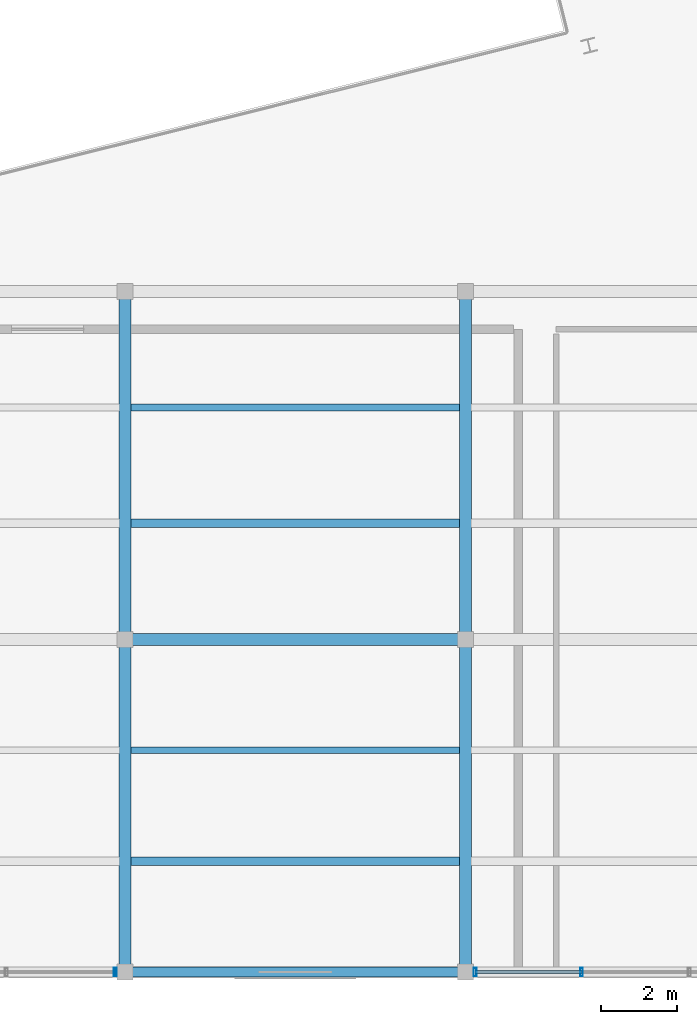
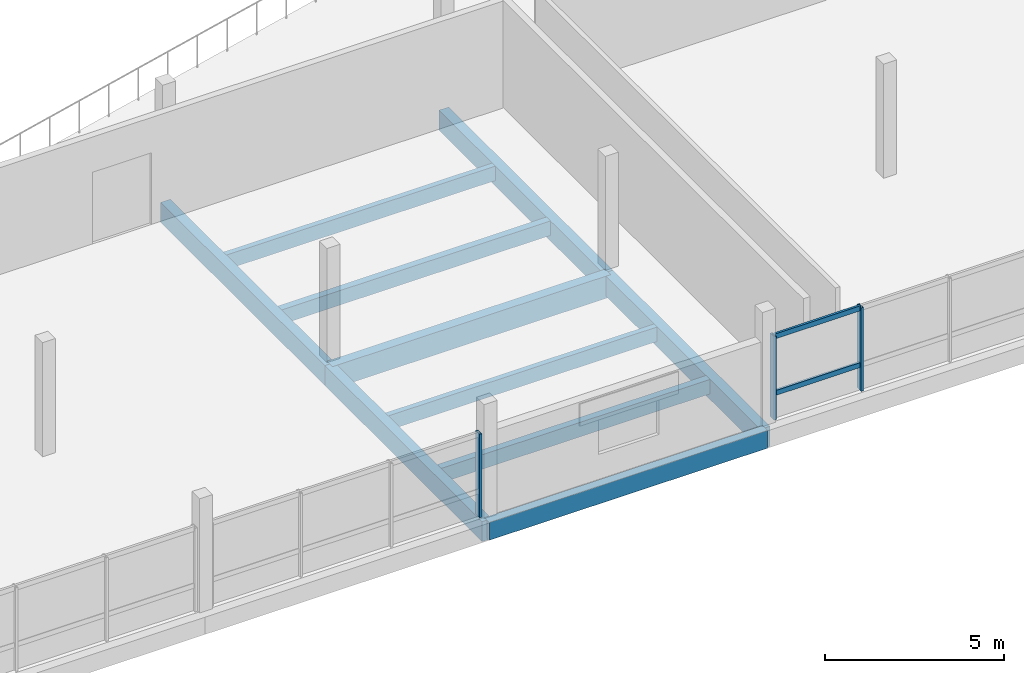
# One storey, part 8 of 47: 10 beams, 5 members, 2 elements without a shape of their own.
"""IFC4 building model written with IfcOpenShell, lengths in metres."""

import ifcopenshell
import ifcopenshell.guid

model = None  # the IFC model being written
_history = None  # IfcOwnerHistory: only IFC2X3 demands one
_inside = {}  # id of a spatial element -> (the spatial element, [elements in it])
_under = {}  # id of a project, library or spatial element -> (it, [spatial elements below it])
_declared = {}  # id of a project -> (the project, [libraries it declares])
_typed = {}  # id of a type object -> (the type object, [elements of that type])
_made_of = {}  # id of a material, layer set ... -> (it, [elements and type objects made of it])


def new_model(schema):
    """Start an empty IFC model of exactly this schema.

    Asked for "IFC4X3", IfcOpenShell would pick the latest addendum, in which some entities
    have other attributes; the version numbers below select the first issue.
    IFC2X3 requires an IfcOwnerHistory on every rooted entity: one is made here for all.
    """
    global model, _history
    if schema == "IFC4X3":
        model = ifcopenshell.file(schema_version=(4, 3, 0, 0))
    else:
        model = ifcopenshell.file(schema=schema)
    _inside.clear()
    _under.clear()
    _declared.clear()
    _typed.clear()
    _made_of.clear()
    _history = None
    if model.schema == "IFC2X3":
        org = make("IfcOrganization", Name="unknown")
        user = make(
            "IfcPersonAndOrganization",
            ThePerson=make("IfcPerson", FamilyName="unknown"),
            TheOrganization=org,
        )
        app = make(
            "IfcApplication",
            ApplicationDeveloper=org,
            Version="unknown",
            ApplicationFullName="unknown",
            ApplicationIdentifier="unknown",
        )
        _history = make(
            "IfcOwnerHistory",
            OwningUser=user,
            OwningApplication=app,
            ChangeAction="ADDED",
            CreationDate=0,
        )
    return model


def make(cls, **values):
    """One entity of the class cls with the attributes given. An attribute that is None is left unset."""
    return model.create_entity(
        cls, **{name: value for name, value in values.items() if value is not None}
    )


def rooted(cls, **values):
    """An entity with a GlobalId (a new one), such as an element, a storey or a relation."""
    return make(cls, GlobalId=ifcopenshell.guid.new(), OwnerHistory=_history, **values)


def si_unit(unit_type, name, prefix=None):
    """IfcSIUnit, for example si_unit("LENGTHUNIT", "METRE", prefix="MILLI")."""
    return make("IfcSIUnit", UnitType=unit_type, Prefix=prefix, Name=name)


def assignment(units):
    """IfcUnitAssignment: the units of a project."""
    return None if units is None else make("IfcUnitAssignment", Units=units)


def point(xyz):
    """IfcCartesianPoint."""
    return None if xyz is None else make("IfcCartesianPoint", Coordinates=xyz)


def direction(xyz):
    """IfcDirection."""
    return None if xyz is None else make("IfcDirection", DirectionRatios=xyz)


def frame(location, z_axis=None, x_axis=None):
    """IfcAxis2Placement3D, a coordinate frame: its origin and axes. An axis left out is left unset."""
    return make(
        "IfcAxis2Placement3D",
        Location=point(location),
        Axis=direction(z_axis),
        RefDirection=direction(x_axis),
    )


def frame_2d(location, x_axis=None):
    """IfcAxis2Placement2D, a coordinate frame in the plane: its origin and x axis."""
    return make(
        "IfcAxis2Placement2D", Location=point(location), RefDirection=direction(x_axis)
    )


def origin():
    """The frame at (0, 0, 0) with its axes left unset."""
    return frame((0.0, 0.0, 0.0))


def origin_2d():
    """The frame at (0, 0) in the plane with its x axis left unset."""
    return frame_2d((0.0, 0.0))


def place(relative_to, where):
    """IfcLocalPlacement: puts the frame where relative to a parent placement (None: the world)."""
    return make(
        "IfcLocalPlacement", PlacementRelTo=relative_to, RelativePlacement=where
    )


def context(
    kind, dimensions, precision=None, world=None, true_north=None, identifier=None
):
    """IfcGeometricRepresentationContext, for example the 3D "Model" context."""
    return make(
        "IfcGeometricRepresentationContext",
        ContextIdentifier=identifier,
        ContextType=kind,
        CoordinateSpaceDimension=dimensions,
        Precision=precision,
        WorldCoordinateSystem=world,
        TrueNorth=true_north,
    )


def subcontext(parent, identifier, kind, view, scale=None):
    """IfcGeometricRepresentationSubContext, for example "Body" below "Model"."""
    return make(
        "IfcGeometricRepresentationSubContext",
        ContextIdentifier=identifier,
        ContextType=kind,
        ParentContext=parent,
        TargetScale=scale,
        TargetView=view,
    )


def project(units=None, contexts=None):
    """IfcProject with its units and contexts."""
    return rooted(
        "IfcProject",
        Name="project",
        RepresentationContexts=contexts,
        UnitsInContext=assignment(units),
    )


def spatial(cls, under=None, at=None, **own):
    """A site, building, storey or space (cls), placed at a placement, below another one or the project."""
    s = rooted(cls, ObjectPlacement=at, **own)
    if under is not None:
        _under.setdefault(under.id(), (under, []))[1].append(s)
    return s


def profile(cls, at=None, kind="AREA", **sizes):
    """A parametric profile (cls). Its sizes go by their IFC names, for example OverallWidth=200.0."""
    return make(cls, ProfileType=kind, Position=at, **sizes)


def rectangle(**sizes):
    """IfcRectangleProfileDef."""
    return profile("IfcRectangleProfileDef", **sizes)


def hollow_rectangle(**sizes):
    """IfcRectangleHollowProfileDef."""
    return profile("IfcRectangleHollowProfileDef", **sizes)


def extrude(swept, where, along, depth):
    """IfcExtrudedAreaSolid: the profile swept, set in the frame where, extruded along a direction by depth."""
    return make(
        "IfcExtrudedAreaSolid",
        SweptArea=swept,
        Position=where,
        ExtrudedDirection=direction(along),
        Depth=depth,
    )


def shape(context_of_items, identifier, shape_type, items):
    """IfcShapeRepresentation: the items that make up one representation, for example the "Body"."""
    return make(
        "IfcShapeRepresentation",
        ContextOfItems=context_of_items,
        RepresentationIdentifier=identifier,
        RepresentationType=shape_type,
        Items=items,
    )


def material(Name=None, Category=None):
    """IfcMaterial."""
    return make("IfcMaterial", Name=Name, Category=Category)


def layer(
    of_material, thickness, ventilated=None, Name=None, Category=None, Priority=None
):
    """IfcMaterialLayer: one layer of a wall or slab, of a material (None: an air gap)."""
    return make(
        "IfcMaterialLayer",
        Material=of_material,
        LayerThickness=thickness,
        IsVentilated=ventilated,
        Name=Name,
        Category=Category,
        Priority=Priority,
    )


def layer_set(layers, Name=None):
    """IfcMaterialLayerSet."""
    return make("IfcMaterialLayerSet", MaterialLayers=layers, LayerSetName=Name)


def material_profile(
    of_material, cross_section, Name=None, Category=None, Priority=None
):
    """IfcMaterialProfile: a cross section and its material."""
    return make(
        "IfcMaterialProfile",
        Name=Name,
        Material=of_material,
        Profile=cross_section,
        Priority=Priority,
        Category=Category,
    )


def profile_set(profiles, Name=None, composite=None):
    """IfcMaterialProfileSet."""
    return make(
        "IfcMaterialProfileSet",
        Name=Name,
        MaterialProfiles=profiles,
        CompositeProfile=composite,
    )


def made_of(thing, what):
    """Note that an element or type object is made of a material, layer set ...; save() writes the relation."""
    if what is not None:
        _made_of.setdefault(what.id(), (what, []))[1].append(thing)
    return thing


def type_object(cls, material=None, **own):
    """A type object (cls), such as IfcWallType, which elements share."""
    return made_of(rooted(cls, **own), material)


def element(
    cls,
    number,
    at=None,
    inside=None,
    cuts=None,
    type_object=None,
    material=None,
    context=None,
    identifier="Body",
    shape_type=None,
    held_by="IfcProductDefinitionShape",
    body=None,
    shapes=None,
    **own,
):
    """One element of the class cls, such as IfcWall. Its Tag is "e" and its number.

    at: its placement. inside: the storey or other place that contains it. cuts: it is an
    opening in that element (IfcRelVoidsElement). A single representation is given by context,
    identifier, shape_type and body (its items); several are given by shapes. held_by: the class
    of the entity that holds the representations. save() writes the other relations.
    """
    e = rooted(cls, Tag="e%d" % number, ObjectPlacement=at, **own)
    if body is not None:
        shapes = [shape(context, identifier, shape_type, body)]
    if shapes is not None:
        e.Representation = make(held_by, Representations=shapes)
    if inside is not None:
        _inside.setdefault(inside.id(), (inside, []))[1].append(e)
    if cuts is not None:
        rooted(
            "IfcRelVoidsElement", RelatingBuildingElement=cuts, RelatedOpeningElement=e
        )
    if type_object is not None:
        _typed.setdefault(type_object.id(), (type_object, []))[1].append(e)
    return made_of(e, material)


def aggregate(whole, parts):
    """IfcRelAggregates: a whole, such as a stair, and the parts it consists of."""
    return rooted("IfcRelAggregates", RelatingObject=whole, RelatedObjects=parts)


def save(model, path):
    """Write the relations noted so far, then the file.

    IfcRelAggregates (storeys below a building ...), IfcRelContainedInSpatialStructure (elements
    in a storey), IfcRelDefinesByType, IfcRelAssociatesMaterial and IfcRelDeclares: one each for
    every whole, place, type object, material and project.
    """
    for whole, parts in _under.values():
        aggregate(whole, parts)
    for where, things in _inside.values():
        rooted(
            "IfcRelContainedInSpatialStructure",
            RelatedElements=things,
            RelatingStructure=where,
        )
    for kind, things in _typed.values():
        rooted("IfcRelDefinesByType", RelatedObjects=things, RelatingType=kind)
    for what, things in _made_of.values():
        rooted("IfcRelAssociatesMaterial", RelatedObjects=things, RelatingMaterial=what)
    for by, libraries in _declared.values():
        rooted("IfcRelDeclares", RelatingContext=by, RelatedDefinitions=libraries)
    model.write(path)


model = new_model("IFC4")

# Units and contexts
model_context = context("Model", 3, precision=1e-05, world=origin(), true_north=direction((0.0, 1.0)))
body_context = subcontext(model_context, "Body", "Model", "MODEL_VIEW")
ifc_project = project(units=[si_unit("LENGTHUNIT", "METRE"), si_unit("AREAUNIT", "SQUARE_METRE"), si_unit("VOLUMEUNIT", "CUBIC_METRE"), si_unit("PLANEANGLEUNIT", "RADIAN"), si_unit("MASSUNIT", "GRAM", prefix="KILO")], contexts=[model_context])

# Site, building, storey
site_placement = place(None, origin())
site = spatial("IfcSite", under=ifc_project, at=site_placement, CompositionType="ELEMENT")
building_placement = place(site_placement, origin())
building = spatial("IfcBuilding", under=site, at=building_placement, Name="Meriwether Solvik Hall", CompositionType="ELEMENT")
storey_placement = place(building_placement, frame((0.0, 0.0, 18.300048828125)))
storey = spatial("IfcBuildingStorey", under=building, at=storey_placement, Name="L04", CompositionType="ELEMENT", Elevation=18.300048828125)

# Beams
ifc_material_1 = material(Name="Glulam Douglas-Fir 24F-V8 GL28h", Category="wood")
ifc_material_profile_1 = material_profile(ifc_material_1, rectangle(XDim=0.27294921875, YDim=0.610107421875, at=origin_2d()), Name="GLB-273X610")
ifc_profile_set_1 = profile_set([ifc_material_profile_1], Name="Glulam Douglas-Fir 24F-V8 GL28h")
beam_type_1 = type_object("IfcBeamType", Name="BM-GL-273X610", PredefinedType="SPANDREL", material=ifc_profile_set_1)
beam_1_placement = place(storey_placement, frame((77.800048828125, 5.199951171875, -0.550048828125), z_axis=(1.0, 0.0, 0.0), x_axis=(0.0, 1.0, 0.0)))
element("IfcBeam", 1, at=beam_1_placement, inside=storey, type_object=beam_type_1, Name="Podium Girder A:9-10 (L04)", PredefinedType="SPANDREL", context=body_context, shape_type="SweptSolid", body=[
    extrude(rectangle(XDim=0.27294921875, YDim=0.610107421875, at=origin_2d()), origin(), (0.0, 0.0, 1.0), 9.0),
])
ifc_material_2 = material(Name="Glulam Douglas-Fir 24F-V8 GL28h", Category="wood")
ifc_material_profile_2 = material_profile(ifc_material_2, rectangle(XDim=0.31494140625, YDim=0.68505859375, at=origin_2d()), Name="GLB-315X685")
ifc_profile_set_2 = profile_set([ifc_material_profile_2], Name="Glulam Douglas-Fir 24F-V8 GL28h")
beam_type_2 = type_object("IfcBeamType", Name="BM-GL-315X685", PredefinedType="BEAM", material=ifc_profile_set_2)
beam_2_placement = place(storey_placement, frame((77.800048828125, 5.199951171875, -0.587646484375), z_axis=(0.0, 1.0, 0.0), x_axis=(-1.0, 0.0, 0.0)))
element("IfcBeam", 2, at=beam_2_placement, inside=storey, type_object=beam_type_2, Name="Podium Girder 9:A-B (L04)", PredefinedType="BEAM", context=body_context, shape_type="SweptSolid", body=[
    extrude(rectangle(XDim=0.31494140625, YDim=0.68505859375, at=origin_2d()), origin(), (0.0, 0.0, 1.0), 8.800048828125),
])
beam_3_placement = place(storey_placement, frame((77.800048828125, 14.0, -0.587646484375), z_axis=(0.0, 1.0, 0.0), x_axis=(-1.0, 0.0, 0.0)))
element("IfcBeam", 3, at=beam_3_placement, inside=storey, type_object=beam_type_2, Name="Podium Girder 9:B-C (L04)", PredefinedType="BEAM", context=body_context, shape_type="SweptSolid", body=[
    extrude(rectangle(XDim=0.31494140625, YDim=0.68505859375, at=origin_2d()), origin(), (0.0, 0.0, 1.0), 9.199951171875),
])
beam_4_placement = place(storey_placement, frame((86.800048828125, 5.199951171875, -0.587646484375), z_axis=(0.0, 1.0, 0.0), x_axis=(-1.0, 0.0, 0.0)))
element("IfcBeam", 4, at=beam_4_placement, inside=storey, type_object=beam_type_2, Name="Podium Girder 10:A-B (L04)", PredefinedType="BEAM", context=body_context, shape_type="SweptSolid", body=[
    extrude(rectangle(XDim=0.31494140625, YDim=0.68505859375, at=origin_2d()), origin(), (0.0, 0.0, 1.0), 8.800048828125),
])
beam_5_placement = place(storey_placement, frame((86.800048828125, 14.0, -0.587646484375), z_axis=(0.0, 1.0, 0.0), x_axis=(-1.0, 0.0, 0.0)))
element("IfcBeam", 5, at=beam_5_placement, inside=storey, type_object=beam_type_2, Name="Podium Girder 10:B-C (L04)", PredefinedType="BEAM", context=body_context, shape_type="SweptSolid", body=[
    extrude(rectangle(XDim=0.31494140625, YDim=0.68505859375, at=origin_2d()), origin(), (0.0, 0.0, 1.0), 9.199951171875),
])
ifc_material_3 = material(Name="Glulam Douglas-Fir 24F-V8 GL28h", Category="wood")
ifc_material_profile_3 = material_profile(ifc_material_3, rectangle(XDim=0.31494140625, YDim=0.760009765625, at=origin_2d()), Name="GLB-315X760")
ifc_profile_set_3 = profile_set([ifc_material_profile_3], Name="Glulam Douglas-Fir 24F-V8 GL28h")
beam_type_3 = type_object("IfcBeamType", Name="BM-GL-315X760", PredefinedType="BEAM", material=ifc_profile_set_3)
beam_6_placement = place(storey_placement, frame((77.800048828125, 14.0, -0.625), z_axis=(1.0, 0.0, 0.0), x_axis=(0.0, 1.0, 0.0)))
element("IfcBeam", 6, at=beam_6_placement, inside=storey, type_object=beam_type_3, Name="Podium Girder B:9-10 (L04)", PredefinedType="BEAM", context=body_context, shape_type="SweptSolid", body=[
    extrude(rectangle(XDim=0.31494140625, YDim=0.760009765625, at=origin_2d()), origin(), (0.0, 0.0, 1.0), 9.0),
])

# Curtain wall, member
ifc_material_4 = material(Name="Thermally Broken Anodised Aluminium 6063-T6 and Low-E Glass", Category="aluminium")
ifc_layer = layer(ifc_material_4, 0.179931640625)
ifc_layer_set = layer_set([ifc_layer], Name="Thermally Broken Anodised Aluminium 6063-T6 and Low-E Glass")
curtain_wall_type = type_object("IfcCurtainWallType", Name="CW-UNIT-E", PredefinedType="USERDEFINED", material=ifc_layer_set)
curtain_wall_1_placement = place(storey_placement, origin())
curtain_wall_1 = element("IfcCurtainWall", 7, at=curtain_wall_1_placement, inside=storey, type_object=curtain_wall_type, Name="Curtain Wall wing_XA_8_1 (L04)", ObjectType="UNITISED CURTAIN WALL", PredefinedType="USERDEFINED")
ifc_material_5 = material(Name="Anodised Aluminium 6063-T6", Category="aluminium")
ifc_material_profile_4 = material_profile(ifc_material_5, hollow_rectangle(XDim=0.074951171875, YDim=0.219970703125, WallThickness=0.005615234375, at=origin_2d()), Name="CWM-75X220")
ifc_profile_set_4 = profile_set([ifc_material_profile_4], Name="Anodised Aluminium 6063-T6")
member_type_1 = type_object("IfcMemberType", Name="CW-MUL-75X220", PredefinedType="MULLION", material=ifc_profile_set_4)
member_1_placement = place(storey_placement, frame((77.5400390625, 5.199951171875, 0.0), z_axis=(0.0, 0.0, 1.0), x_axis=(-1.0, 0.0, 0.0)))
member_1 = element("IfcMember", 8, at=member_1_placement, type_object=member_type_1, Name="Curtain Wall Mullion 1", PredefinedType="MULLION", context=body_context, shape_type="SweptSolid", body=[
    extrude(hollow_rectangle(XDim=0.074951171875, YDim=0.219970703125, WallThickness=0.005615234375, at=origin_2d()), origin(), (0.0, 0.0, 1.0), 2.85498046875),
])
aggregate(curtain_wall_1, [member_1])

# Curtain wall, members
curtain_wall_2_placement = place(storey_placement, origin())
curtain_wall_2 = element("IfcCurtainWall", 9, at=curtain_wall_2_placement, inside=storey, type_object=curtain_wall_type, Name="Curtain Wall wing_XA_10_3 (L04)", ObjectType="UNITISED CURTAIN WALL", PredefinedType="USERDEFINED")
member_2_placement = place(storey_placement, frame((89.8740234375, 5.199951171875, 0.0), z_axis=(0.0, 0.0, 1.0), x_axis=(-1.0, 0.0, 0.0)))
member_2 = element("IfcMember", 10, at=member_2_placement, type_object=member_type_1, Name="Curtain Wall Mullion 3", PredefinedType="MULLION", context=body_context, shape_type="SweptSolid", body=[
    extrude(hollow_rectangle(XDim=0.074951171875, YDim=0.219970703125, WallThickness=0.005615234375, at=origin_2d()), origin(), (0.0, 0.0, 1.0), 2.85498046875),
])
member_3_placement = place(storey_placement, frame((87.06005859375, 5.199951171875, 0.0), z_axis=(0.0, 0.0, 1.0), x_axis=(-1.0, 0.0, 0.0)))
member_3 = element("IfcMember", 11, at=member_3_placement, type_object=member_type_1, Name="Curtain Wall Mullion 4", PredefinedType="MULLION", context=body_context, shape_type="SweptSolid", body=[
    extrude(hollow_rectangle(XDim=0.074951171875, YDim=0.219970703125, WallThickness=0.005615234375, at=origin_2d()), origin(), (0.0, 0.0, 1.0), 2.85498046875),
])
ifc_material_6 = material(Name="Anodised Aluminium 6063-T6", Category="aluminium")
ifc_material_profile_5 = material_profile(ifc_material_6, hollow_rectangle(XDim=0.074951171875, YDim=0.169921875, WallThickness=0.005615234375, at=origin_2d()), Name="CWT-75X170")
ifc_profile_set_5 = profile_set([ifc_material_profile_5], Name="Anodised Aluminium 6063-T6")
member_type_2 = type_object("IfcMemberType", Name="CW-TRN-75X170", PredefinedType="USERDEFINED", material=ifc_profile_set_5)
member_4_placement = place(storey_placement, frame((89.8740234375, 5.199951171875, 0.8564453125), z_axis=(-1.0, 0.0, 0.0), x_axis=(0.0, -1.0, 0.0)))
member_4 = element("IfcMember", 12, at=member_4_placement, type_object=member_type_2, Name="Curtain Wall Transom 3-sill", ObjectType="TRANSOM", PredefinedType="USERDEFINED", context=body_context, shape_type="SweptSolid", body=[
    extrude(hollow_rectangle(XDim=0.074951171875, YDim=0.169921875, WallThickness=0.005615234375, at=origin_2d()), origin(), (0.0, 0.0, 1.0), 2.81396484375),
])
member_5_placement = place(storey_placement, frame((89.8740234375, 5.199951171875, 2.794921875), z_axis=(-1.0, 0.0, 0.0), x_axis=(0.0, -1.0, 0.0)))
member_5 = element("IfcMember", 13, at=member_5_placement, type_object=member_type_2, Name="Curtain Wall Transom 3-head", ObjectType="TRANSOM", PredefinedType="USERDEFINED", context=body_context, shape_type="SweptSolid", body=[
    extrude(hollow_rectangle(XDim=0.074951171875, YDim=0.169921875, WallThickness=0.005615234375, at=origin_2d()), origin(), (0.0, 0.0, 1.0), 2.81396484375),
])
aggregate(curtain_wall_2, [member_2, member_3, member_4, member_5])

# Beams
ifc_material_7 = material(Name="Glulam Douglas-Fir 24F-V8 GL28h", Category="wood")
ifc_material_profile_6 = material_profile(ifc_material_7, rectangle(XDim=0.175048828125, YDim=0.4951171875, at=origin_2d()), Name="GLJ-175X495")
ifc_profile_set_6 = profile_set([ifc_material_profile_6], Name="Glulam Douglas-Fir 24F-V8 GL28h")
beam_type_4 = type_object("IfcBeamType", Name="JST-GL-175X495", PredefinedType="JOIST", material=ifc_profile_set_6)
for number, where, z_axis, x_axis, name in (
    (14, (77.952392578125, 11.066650390625, -0.492431640625), (1.0, 0.0, 0.0), (0.0, 1.0, 0.0), "Secondary Floor Joist 9/A_J2 (L04)"),
    (15, (77.952392578125, 20.13330078125, -0.492431640625), (1.0, 0.0, 0.0), (0.0, 1.0, 0.0), "Secondary Floor Joist 9/B_J2 (L04)"),
):
    element("IfcBeam", number, at=place(storey_placement, frame(where, z_axis=z_axis, x_axis=x_axis)), inside=storey, type_object=beam_type_4, Name=name, PredefinedType="JOIST", context=body_context, shape_type="SweptSolid", body=[
        extrude(rectangle(XDim=0.175048828125, YDim=0.4951171875, at=origin_2d()), origin(), (0.0, 0.0, 1.0), 8.695068359375),
    ])
ifc_material_8 = material(Name="Glulam Douglas-Fir 24F-V8 GL28h", Category="wood")
ifc_material_profile_7 = material_profile(ifc_material_8, rectangle(XDim=0.221923828125, YDim=0.4951171875, at=origin_2d()), Name="GLJ-222X495")
ifc_profile_set_7 = profile_set([ifc_material_profile_7], Name="Glulam Douglas-Fir 24F-V8 GL28h")
beam_type_5 = type_object("IfcBeamType", Name="JST-GL-222X495", PredefinedType="JOIST", material=ifc_profile_set_7)
for number, where, z_axis, x_axis, name in (
    (16, (77.952392578125, 8.13330078125, -0.492431640625), (1.0, 0.0, 0.0), (0.0, 1.0, 0.0), "Secondary Floor Joist 9/A_J1 (L04)"),
    (17, (77.952392578125, 17.066650390625, -0.492431640625), (1.0, 0.0, 0.0), (0.0, 1.0, 0.0), "Secondary Floor Joist 9/B_J1 (L04)"),
):
    element("IfcBeam", number, at=place(storey_placement, frame(where, z_axis=z_axis, x_axis=x_axis)), inside=storey, type_object=beam_type_5, Name=name, PredefinedType="JOIST", context=body_context, shape_type="SweptSolid", body=[
        extrude(rectangle(XDim=0.221923828125, YDim=0.4951171875, at=origin_2d()), origin(), (0.0, 0.0, 1.0), 8.695068359375),
    ])

save(model, "model.ifc")
